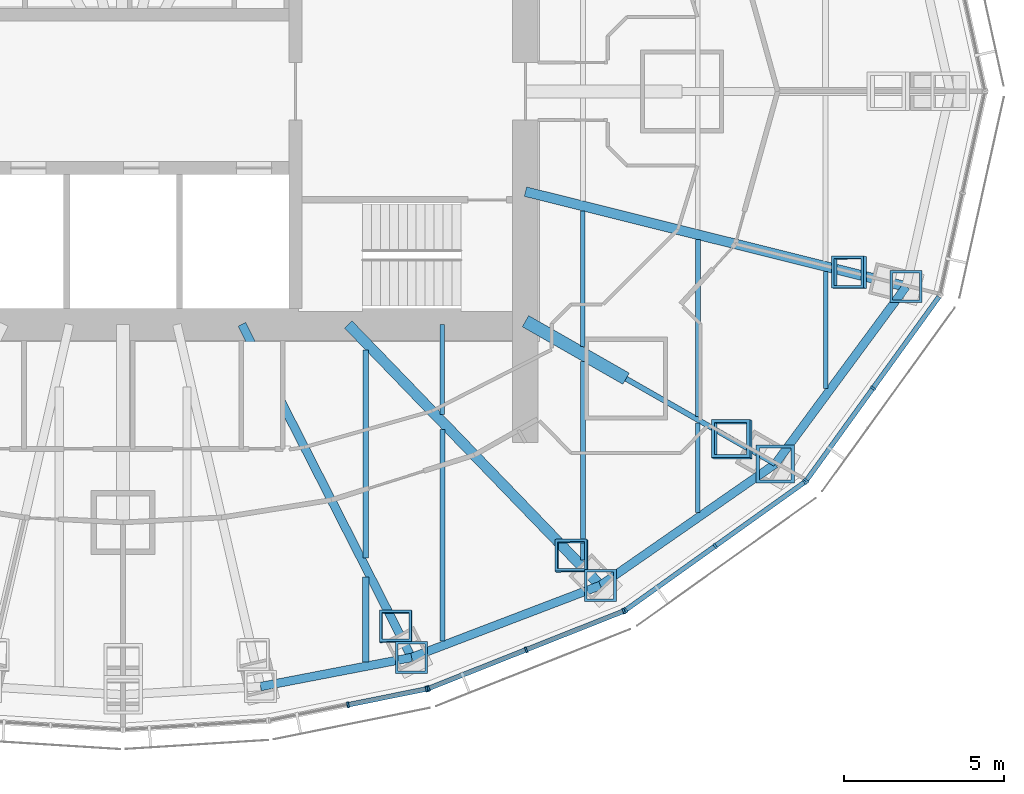
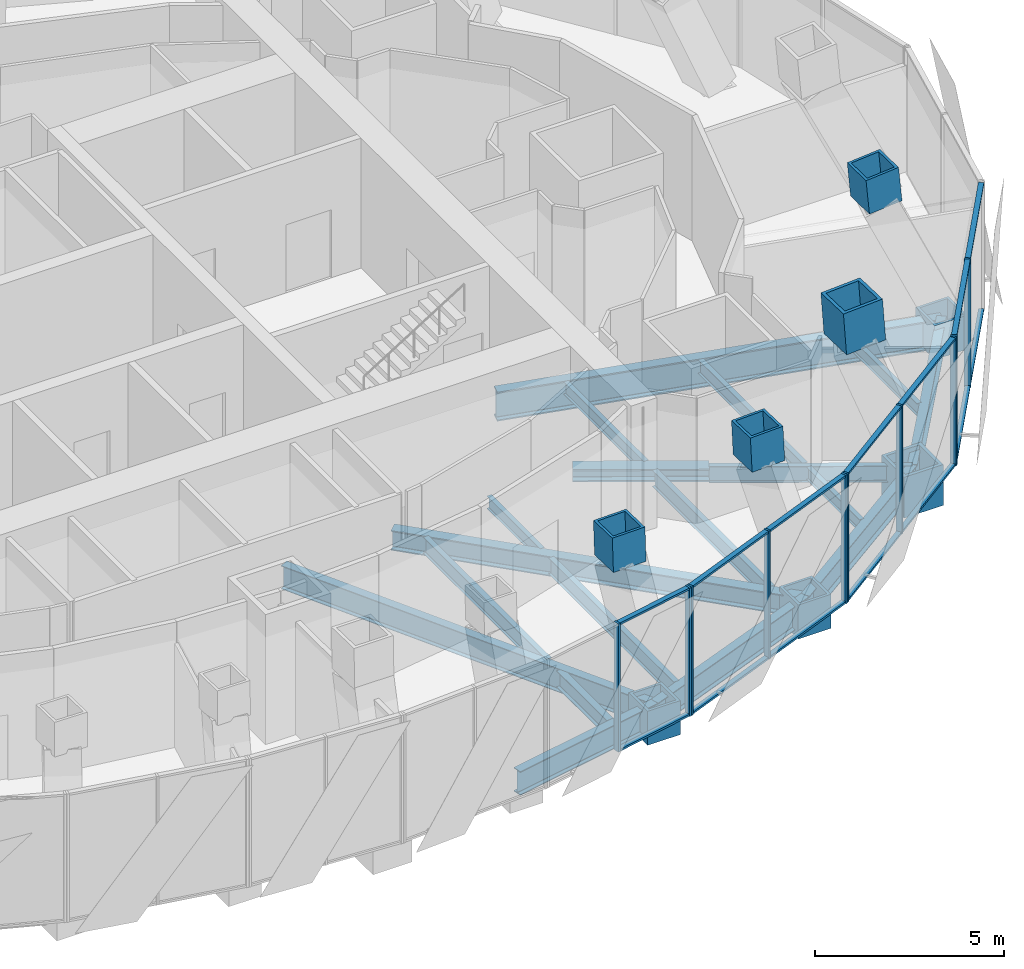
# One storey, part 6 of 18: 32 members, 18 beams, 4 elements without a shape of their own.
"""IFC4 building model written with IfcOpenShell, lengths in metres."""

from ifc_helpers import new_model, si_unit, direction, frame, origin, origin_2d, place, context, subcontext, project, spatial, rectangle, hollow_rectangle, i_section, extrude, material, material_profile, profile_set, type_object, element, aggregate, save


model = new_model("IFC4")

# Units and contexts
model_context = context("Model", 3, precision=1e-05, world=origin(), true_north=direction((0.0, 1.0)))
body_context = subcontext(model_context, "Body", "Model", "MODEL_VIEW")
ifc_project = project(units=[si_unit("LENGTHUNIT", "METRE"), si_unit("AREAUNIT", "SQUARE_METRE"), si_unit("VOLUMEUNIT", "CUBIC_METRE"), si_unit("PLANEANGLEUNIT", "RADIAN"), si_unit("MASSUNIT", "GRAM", prefix="KILO")], contexts=[model_context])

# Site, building, storey
site_placement = place(None, origin())
site = spatial("IfcSite", under=ifc_project, at=site_placement, CompositionType="ELEMENT")
building_placement = place(site_placement, origin())
building = spatial("IfcBuilding", under=site, at=building_placement, Name="Lantaw Convention Tower", CompositionType="ELEMENT")
storey_placement = place(building_placement, frame((0.0, 0.0, 266.199951171875)))
storey = spatial("IfcBuildingStorey", under=building, at=storey_placement, Name="L62", CompositionType="ELEMENT", Elevation=266.199951171875)

# Beams
ifc_material_1 = material(Name="Steel ASTM A992", Category="steel")
ifc_material_profile_1 = material_profile(ifc_material_1, i_section(OverallWidth=0.2666015625, OverallDepth=0.76953125, WebThickness=0.015625, FlangeThickness=0.025390625, FilletRadius=0.0126953125, at=origin_2d()), Name="W30X132")
ifc_profile_set_1 = profile_set([ifc_material_profile_1], Name="Steel ASTM A992")
beam_type_1 = type_object("IfcBeamType", Name="Beam E W30X132", PredefinedType="SPANDREL", material=ifc_profile_set_1)
beam_1_placement = place(storey_placement, frame((4.303955078125, -18.64208984375, -0.53466796875), z_axis=(0.981972091702, 0.189025953556, 0.0), x_axis=(-0.189025953556, 0.981972091702, 0.0)))
element("IfcBeam", 1, at=beam_1_placement, inside=storey, type_object=beam_type_1, Name="Edge beam 20", PredefinedType="SPANDREL", context=body_context, shape_type="SweptSolid", body=[
    extrude(i_section(OverallWidth=0.2666015625, OverallDepth=0.76953125, WebThickness=0.015625, FlangeThickness=0.025390625, FilletRadius=0.0126953125, at=origin_2d()), origin(), (0.0, 0.0, 1.0), 4.817626953125),
])
beam_2_placement = place(storey_placement, frame((9.03466796875, -17.7314453125, -0.53466796875), z_axis=(0.934234988, 0.356658081637, 0.0), x_axis=(-0.356658081637, 0.934234988, 0.0)))
element("IfcBeam", 2, at=beam_2_placement, inside=storey, type_object=beam_type_1, Name="Edge beam 21", PredefinedType="SPANDREL", context=body_context, shape_type="SweptSolid", body=[
    extrude(i_section(OverallWidth=0.2666015625, OverallDepth=0.76953125, WebThickness=0.015625, FlangeThickness=0.025390625, FilletRadius=0.0126953125, at=origin_2d()), origin(), (0.0, 0.0, 1.0), 6.32568359375),
])
beam_3_placement = place(storey_placement, frame((14.9443359375, -15.475341796875, -0.53466796875), z_axis=(0.82135329406, 0.570419815869, 0.0), x_axis=(-0.570419815869, 0.82135329406, 0.0)))
element("IfcBeam", 3, at=beam_3_placement, inside=storey, type_object=beam_type_1, Name="Edge beam 22", PredefinedType="SPANDREL", context=body_context, shape_type="SweptSolid", body=[
    extrude(i_section(OverallWidth=0.2666015625, OverallDepth=0.76953125, WebThickness=0.015625, FlangeThickness=0.025390625, FilletRadius=0.0126953125, at=origin_2d()), origin(), (0.0, 0.0, 1.0), 6.67041015625),
])
beam_4_placement = place(storey_placement, frame((20.423095703125, -11.67041015625, -0.53466796875), z_axis=(0.593639188853, 0.804731329984, 0.0), x_axis=(-0.804731329984, 0.593639188853, 0.0)))
element("IfcBeam", 4, at=beam_4_placement, inside=storey, type_object=beam_type_1, Name="Edge beam 23", PredefinedType="SPANDREL", context=body_context, shape_type="SweptSolid", body=[
    extrude(i_section(OverallWidth=0.2666015625, OverallDepth=0.76953125, WebThickness=0.015625, FlangeThickness=0.025390625, FilletRadius=0.0126953125, at=origin_2d()), origin(), (0.0, 0.0, 1.0), 6.904541015625),
])
ifc_material_profile_2 = material_profile(ifc_material_1, i_section(OverallWidth=0.165771484375, OverallDepth=0.5283203125, WebThickness=0.009765625, FlangeThickness=0.013671875, FilletRadius=0.012939453125, at=origin_2d()), Name="W21X50")
ifc_profile_set_2 = profile_set([ifc_material_profile_2], Name="Steel ASTM A992")
beam_type_2 = type_object("IfcBeamType", Name="Beam G W21X50", PredefinedType="BEAM", material=ifc_profile_set_2)
beam_5_placement = place(storey_placement, frame((15.75, -9.0, -0.4140625), z_axis=(0.868237559289, -0.496148708192, 0.0), x_axis=(0.496148708192, 0.868237559289, 0.0)))
element("IfcBeam", 5, at=beam_5_placement, inside=storey, type_object=beam_type_2, Name="Floor girder on ray 23", PredefinedType="BEAM", context=body_context, shape_type="SweptSolid", body=[
    extrude(i_section(OverallWidth=0.165771484375, OverallDepth=0.5283203125, WebThickness=0.009765625, FlangeThickness=0.013671875, FilletRadius=0.012939453125, at=origin_2d()), origin(), (0.0, 0.0, 1.0), 5.38232421875),
])
ifc_material_profile_3 = material_profile(ifc_material_1, i_section(OverallWidth=0.32763671875, OverallDepth=0.64013671875, WebThickness=0.01904296875, FlangeThickness=0.033935546875, FilletRadius=0.0126953125, at=origin_2d()), Name="W24X176")
ifc_profile_set_3 = profile_set([ifc_material_profile_3], Name="Steel ASTM A992")
beam_type_3 = type_object("IfcBeamType", Name="Beam G W24X176", PredefinedType="BEAM", material=ifc_profile_set_3)
beam_6_placement = place(storey_placement, frame((7.049560546875, -7.300048828125, -0.469970703125), z_axis=(0.694657766726, -0.719340383356, 0.0), x_axis=(0.719340383356, 0.694657766726, 0.0)))
element("IfcBeam", 6, at=beam_6_placement, inside=storey, type_object=beam_type_3, Name="Floor girder on ray 22", PredefinedType="BEAM", context=body_context, shape_type="SweptSolid", body=[
    extrude(i_section(OverallWidth=0.32763671875, OverallDepth=0.64013671875, WebThickness=0.01904296875, FlangeThickness=0.033935546875, FilletRadius=0.0126953125, at=origin_2d()), origin(), (0.0, 0.0, 1.0), 11.364990234375),
])
ifc_material_profile_4 = material_profile(ifc_material_1, i_section(OverallWidth=0.2666015625, OverallDepth=0.7568359375, WebThickness=0.013916015625, FlangeThickness=0.019287109375, FilletRadius=0.0126953125, at=origin_2d()), Name="W30X108")
ifc_profile_set_4 = profile_set([ifc_material_profile_4], Name="Steel ASTM A992")
beam_type_4 = type_object("IfcBeamType", Name="Beam G W30X108", PredefinedType="BEAM", material=ifc_profile_set_4)
beam_7_placement = place(storey_placement, frame((3.719482421875, -7.300048828125, -0.5283203125), z_axis=(0.4539988787, -0.891002254845, 0.0), x_axis=(0.891002254845, 0.4539988787, 0.0)))
element("IfcBeam", 7, at=beam_7_placement, inside=storey, type_object=beam_type_4, Name="Floor girder on ray 21", PredefinedType="BEAM", context=body_context, shape_type="SweptSolid", body=[
    extrude(i_section(OverallWidth=0.2666015625, OverallDepth=0.7568359375, WebThickness=0.013916015625, FlangeThickness=0.019287109375, FilletRadius=0.0126953125, at=origin_2d()), origin(), (0.0, 0.0, 1.0), 11.70751953125),
])
ifc_material_profile_5 = material_profile(ifc_material_1, i_section(OverallWidth=0.307373046875, OverallDepth=0.9423828125, WebThickness=0.022216796875, FlangeThickness=0.039794921875, FilletRadius=0.0126953125, at=origin_2d()), Name="W36X232")
ifc_profile_set_5 = profile_set([ifc_material_profile_5], Name="Steel ASTM A992")
beam_type_5 = type_object("IfcBeamType", Name="Beam G W36X232", PredefinedType="BEAM", material=ifc_profile_set_5)
beam_8_placement = place(storey_placement, frame((12.60009765625, -3.1416015625, -0.62109375), z_axis=(0.970296589314, -0.241918434119, 0.0), x_axis=(0.241918434119, 0.970296589314, 0.0)))
element("IfcBeam", 8, at=beam_8_placement, inside=storey, type_object=beam_type_5, Name="Floor girder on ray 24", PredefinedType="BEAM", context=body_context, shape_type="SweptSolid", body=[
    extrude(i_section(OverallWidth=0.307373046875, OverallDepth=0.9423828125, WebThickness=0.022216796875, FlangeThickness=0.039794921875, FilletRadius=0.0126953125, at=origin_2d()), origin(), (0.0, 0.0, 1.0), 12.286865234375),
])
ifc_material_profile_6 = material_profile(ifc_material_1, i_section(OverallWidth=0.40380859375, OverallDepth=0.406494140625, WebThickness=0.027099609375, FlangeThickness=0.043701171875, FilletRadius=0.01513671875, at=origin_2d()), Name="W14X233")
ifc_profile_set_6 = profile_set([ifc_material_profile_6], Name="Steel ASTM A992")
beam_type_6 = type_object("IfcBeamType", Name="Beam GM W14X233", PredefinedType="BEAM", material=ifc_profile_set_6)
beam_9_placement = place(storey_placement, frame((12.60009765625, -7.199951171875, -0.353271484375), z_axis=(0.868230718294, -0.496160679428, 0.0), x_axis=(0.496160679428, 0.868230718294, 0.0)))
element("IfcBeam", 9, at=beam_9_placement, inside=storey, type_object=beam_type_6, Name="Core link beam on ray 23", PredefinedType="BEAM", context=body_context, shape_type="SweptSolid", body=[
    extrude(i_section(OverallWidth=0.40380859375, OverallDepth=0.406494140625, WebThickness=0.027099609375, FlangeThickness=0.043701171875, FilletRadius=0.01513671875, at=origin_2d()), origin(), (0.0, 0.0, 1.0), 3.6279296875),
])
ifc_material_profile_7 = material_profile(ifc_material_1, i_section(OverallWidth=0.140380859375, OverallDepth=0.40380859375, WebThickness=0.007080078125, FlangeThickness=0.01123046875, FilletRadius=0.01025390625, at=origin_2d()), Name="W16X31")
ifc_profile_set_7 = profile_set([ifc_material_profile_7], Name="Steel ASTM A992")
beam_type_7 = type_object("IfcBeamType", Name="Beam J W16X31", PredefinedType="JOIST", material=ifc_profile_set_7)
beam_10_placement = place(storey_placement, frame((10.0, -10.119384765625, -0.351806640625), z_axis=(0.0, 1.0, 0.0), x_axis=(-1.0, 0.0, 0.0)))
element("IfcBeam", 10, at=beam_10_placement, inside=storey, type_object=beam_type_7, Name="Floor joist", PredefinedType="JOIST", context=body_context, shape_type="SweptSolid", body=[
    extrude(i_section(OverallWidth=0.140380859375, OverallDepth=0.40380859375, WebThickness=0.007080078125, FlangeThickness=0.01123046875, FilletRadius=0.01025390625, at=origin_2d()), origin(), (0.0, 0.0, 1.0), 2.8193359375),
])
beam_11_placement = place(storey_placement, frame((14.39990234375, -7.99609375, -0.351806640625), z_axis=(0.0, 1.0, 0.0), x_axis=(-1.0, 0.0, 0.0)))
element("IfcBeam", 11, at=beam_11_placement, inside=storey, type_object=beam_type_7, Name="Floor joist", PredefinedType="JOIST", context=body_context, shape_type="SweptSolid", body=[
    extrude(i_section(OverallWidth=0.140380859375, OverallDepth=0.40380859375, WebThickness=0.007080078125, FlangeThickness=0.01123046875, FilletRadius=0.01025390625, at=origin_2d()), origin(), (0.0, 0.0, 1.0), 4.247314453125),
])
beam_12_placement = place(storey_placement, frame((18.0, -13.19091796875, -0.351806640625), z_axis=(0.0, 1.0, 0.0), x_axis=(-1.0, 0.0, 0.0)))
element("IfcBeam", 12, at=beam_12_placement, inside=storey, type_object=beam_type_7, Name="Floor joist", PredefinedType="JOIST", context=body_context, shape_type="SweptSolid", body=[
    extrude(i_section(OverallWidth=0.140380859375, OverallDepth=0.40380859375, WebThickness=0.007080078125, FlangeThickness=0.01123046875, FilletRadius=0.01025390625, at=origin_2d()), origin(), (0.0, 0.0, 1.0), 2.8095703125),
])
beam_13_placement = place(storey_placement, frame((22.0, -9.30810546875, -0.351806640625), z_axis=(0.0, 1.0, 0.0), x_axis=(-1.0, 0.0, 0.0)))
element("IfcBeam", 13, at=beam_13_placement, inside=storey, type_object=beam_type_7, Name="Floor joist", PredefinedType="JOIST", context=body_context, shape_type="SweptSolid", body=[
    extrude(i_section(OverallWidth=0.140380859375, OverallDepth=0.40380859375, WebThickness=0.007080078125, FlangeThickness=0.01123046875, FilletRadius=0.01025390625, at=origin_2d()), origin(), (0.0, 0.0, 1.0), 3.66455078125),
])
ifc_material_profile_8 = material_profile(ifc_material_1, i_section(OverallWidth=0.15234375, OverallDepth=0.449462890625, WebThickness=0.007568359375, FlangeThickness=0.0107421875, FilletRadius=0.01025390625, at=origin_2d()), Name="W18X35")
ifc_profile_set_8 = profile_set([ifc_material_profile_8], Name="Steel ASTM A992")
beam_type_8 = type_object("IfcBeamType", Name="Beam J W18X35", PredefinedType="JOIST", material=ifc_profile_set_8)
beam_14_placement = place(storey_placement, frame((18.0, -10.190185546875, -0.374755859375), z_axis=(0.0, 1.0, 0.0), x_axis=(-1.0, 0.0, 0.0)))
element("IfcBeam", 14, at=beam_14_placement, inside=storey, type_object=beam_type_8, Name="Floor joist", PredefinedType="JOIST", context=body_context, shape_type="SweptSolid", body=[
    extrude(i_section(OverallWidth=0.15234375, OverallDepth=0.449462890625, WebThickness=0.007568359375, FlangeThickness=0.0107421875, FilletRadius=0.01025390625, at=origin_2d()), origin(), (0.0, 0.0, 1.0), 5.5439453125),
])
ifc_material_profile_9 = material_profile(ifc_material_1, i_section(OverallWidth=0.1650390625, OverallDepth=0.52587890625, WebThickness=0.0087890625, FlangeThickness=0.011474609375, FilletRadius=0.0126953125, at=origin_2d()), Name="W21X44")
ifc_profile_set_9 = profile_set([ifc_material_profile_9], Name="Steel ASTM A992")
beam_type_9 = type_object("IfcBeamType", Name="Beam J W21X44", PredefinedType="JOIST", material=ifc_profile_set_9)
beam_15_placement = place(storey_placement, frame((7.60009765625, -14.6220703125, -0.412841796875), z_axis=(0.0, 1.0, 0.0), x_axis=(-1.0, 0.0, 0.0)))
element("IfcBeam", 15, at=beam_15_placement, inside=storey, type_object=beam_type_9, Name="Floor joist", PredefinedType="JOIST", context=body_context, shape_type="SweptSolid", body=[
    extrude(i_section(OverallWidth=0.1650390625, OverallDepth=0.52587890625, WebThickness=0.0087890625, FlangeThickness=0.011474609375, FilletRadius=0.0126953125, at=origin_2d()), origin(), (0.0, 0.0, 1.0), 6.51611328125),
])
beam_16_placement = place(storey_placement, frame((10.0, -17.22021484375, -0.412841796875), z_axis=(0.0, 1.0, 0.0), x_axis=(-1.0, 0.0, 0.0)))
element("IfcBeam", 16, at=beam_16_placement, inside=storey, type_object=beam_type_9, Name="Floor joist", PredefinedType="JOIST", context=body_context, shape_type="SweptSolid", body=[
    extrude(i_section(OverallWidth=0.1650390625, OverallDepth=0.52587890625, WebThickness=0.0087890625, FlangeThickness=0.011474609375, FilletRadius=0.0126953125, at=origin_2d()), origin(), (0.0, 0.0, 1.0), 6.629150390625),
])
beam_17_placement = place(storey_placement, frame((14.39990234375, -14.67578125, -0.412841796875), z_axis=(0.0, 1.0, 0.0), x_axis=(-1.0, 0.0, 0.0)))
element("IfcBeam", 17, at=beam_17_placement, inside=storey, type_object=beam_type_9, Name="Floor joist", PredefinedType="JOIST", context=body_context, shape_type="SweptSolid", body=[
    extrude(i_section(OverallWidth=0.1650390625, OverallDepth=0.52587890625, WebThickness=0.0087890625, FlangeThickness=0.011474609375, FilletRadius=0.0126953125, at=origin_2d()), origin(), (0.0, 0.0, 1.0), 6.214599609375),
])
ifc_material_profile_10 = material_profile(ifc_material_1, i_section(OverallWidth=0.2099609375, OverallDepth=0.535888671875, WebThickness=0.010986328125, FlangeThickness=0.017333984375, FilletRadius=0.012939453125, at=origin_2d()), Name="W21X68")
ifc_profile_set_10 = profile_set([ifc_material_profile_10], Name="Steel ASTM A992")
beam_type_10 = type_object("IfcBeamType", Name="Beam J W21X68", PredefinedType="JOIST", material=ifc_profile_set_10)
beam_18_placement = place(storey_placement, frame((7.60009765625, -17.871826171875, -0.41796875), z_axis=(0.0, 1.0, 0.0), x_axis=(-1.0, 0.0, 0.0)))
element("IfcBeam", 18, at=beam_18_placement, inside=storey, type_object=beam_type_10, Name="Floor joist", PredefinedType="JOIST", context=body_context, shape_type="SweptSolid", body=[
    extrude(i_section(OverallWidth=0.2099609375, OverallDepth=0.535888671875, WebThickness=0.010986328125, FlangeThickness=0.017333984375, FilletRadius=0.012939453125, at=origin_2d()), origin(), (0.0, 0.0, 1.0), 2.662353515625),
])

# Curtain wall, members
ifc_material_2 = material(Name="Aluminium framed curtain wall", Category="aluminium")
curtain_wall_type = type_object("IfcCurtainWallType", Name="Office curtain wall high rise, pale aluminium", PredefinedType="USERDEFINED", material=ifc_material_2)
curtain_wall_1_placement = place(storey_placement, origin())
curtain_wall_1 = element("IfcCurtainWall", 19, at=curtain_wall_1_placement, inside=storey, type_object=curtain_wall_type, Name="Office curtain wall high rise, pale aluminium L62", ObjectType="UNITISED CURTAIN WALL", PredefinedType="USERDEFINED")
ifc_material_3 = material(Name="Aluminium 6063-T6", Category="aluminium")
ifc_material_profile_11 = material_profile(ifc_material_3, rectangle(XDim=0.179931640625, YDim=0.06494140625, at=origin_2d()), Name="CW-O2 mullion 65x180")
ifc_profile_set_11 = profile_set([ifc_material_profile_11], Name="Aluminium 6063-T6")
member_type_1 = type_object("IfcMemberType", Name="CW-O2 mullion 65x180", PredefinedType="MULLION", material=ifc_profile_set_11)
member_1_placement = place(storey_placement, frame((7.042724609375, -19.212646484375, -0.14990234375), z_axis=(0.0, 0.0, 1.0), x_axis=(-0.197183095987, 0.980366679695, 0.0)))
member_1 = element("IfcMember", 20, at=member_1_placement, type_object=member_type_1, Name="CW-O2 mullion 2", PredefinedType="MULLION", context=body_context, shape_type="SweptSolid", body=[
    extrude(rectangle(XDim=0.179931640625, YDim=0.06494140625, at=origin_2d()), origin(), (0.0, 0.0, 1.0), 4.14990234375),
])
member_2_placement = place(storey_placement, frame((9.502197265625, -18.718017578125, -0.14990234375), z_axis=(0.0, 0.0, 1.0), x_axis=(-0.197183095987, 0.980366679695, 0.0)))
member_2 = element("IfcMember", 21, at=member_2_placement, type_object=member_type_1, Name="CW-O2 mullion 3", PredefinedType="MULLION", context=body_context, shape_type="SweptSolid", body=[
    extrude(rectangle(XDim=0.179931640625, YDim=0.06494140625, at=origin_2d()), origin(), (0.0, 0.0, 1.0), 4.14990234375),
])

curtain_wall_2_placement = place(storey_placement, origin())
curtain_wall_2 = element("IfcCurtainWall", 22, at=curtain_wall_2_placement, inside=storey, type_object=curtain_wall_type, Name="Office curtain wall high rise, pale aluminium L62", ObjectType="UNITISED CURTAIN WALL", PredefinedType="USERDEFINED")
member_3_placement = place(storey_placement, frame((9.564208984375, -18.69970703125, -0.14990234375), z_axis=(0.0, 0.0, 1.0), x_axis=(-0.368162315252, 0.929761533743, 0.0)))
member_3 = element("IfcMember", 23, at=member_3_placement, type_object=member_type_1, Name="CW-O2 mullion 1", PredefinedType="MULLION", context=body_context, shape_type="SweptSolid", body=[
    extrude(rectangle(XDim=0.179931640625, YDim=0.06494140625, at=origin_2d()), origin(), (0.0, 0.0, 1.0), 4.14990234375),
])
member_4_placement = place(storey_placement, frame((12.621337890625, -17.4892578125, -0.14990234375), z_axis=(0.0, 0.0, 1.0), x_axis=(-0.368162315252, 0.929761533743, 0.0)))
member_4 = element("IfcMember", 24, at=member_4_placement, type_object=member_type_1, Name="CW-O2 mullion 2", PredefinedType="MULLION", context=body_context, shape_type="SweptSolid", body=[
    extrude(rectangle(XDim=0.179931640625, YDim=0.06494140625, at=origin_2d()), origin(), (0.0, 0.0, 1.0), 4.14990234375),
])
member_5_placement = place(storey_placement, frame((15.67822265625, -16.278564453125, -0.14990234375), z_axis=(0.0, 0.0, 1.0), x_axis=(-0.368162315252, 0.929761533743, 0.0)))
member_5 = element("IfcMember", 25, at=member_5_placement, type_object=member_type_1, Name="CW-O2 mullion 3", PredefinedType="MULLION", context=body_context, shape_type="SweptSolid", body=[
    extrude(rectangle(XDim=0.179931640625, YDim=0.06494140625, at=origin_2d()), origin(), (0.0, 0.0, 1.0), 4.14990234375),
])

curtain_wall_3_placement = place(storey_placement, origin())
curtain_wall_3 = element("IfcCurtainWall", 26, at=curtain_wall_3_placement, inside=storey, type_object=curtain_wall_type, Name="Office curtain wall high rise, pale aluminium L62", ObjectType="UNITISED CURTAIN WALL", PredefinedType="USERDEFINED")
member_6_placement = place(storey_placement, frame((15.73486328125, -16.247802734375, -0.14990234375), z_axis=(0.0, 0.0, 1.0), x_axis=(-0.581323487281, 0.813672540482, 0.0)))
member_6 = element("IfcMember", 27, at=member_6_placement, type_object=member_type_1, Name="CW-O2 mullion 1", PredefinedType="MULLION", context=body_context, shape_type="SweptSolid", body=[
    extrude(rectangle(XDim=0.179931640625, YDim=0.06494140625, at=origin_2d()), origin(), (0.0, 0.0, 1.0), 4.14990234375),
])
member_7_placement = place(storey_placement, frame((18.543212890625, -14.241455078125, -0.14990234375), z_axis=(0.0, 0.0, 1.0), x_axis=(-0.581323487281, 0.813672540482, 0.0)))
member_7 = element("IfcMember", 28, at=member_7_placement, type_object=member_type_1, Name="CW-O2 mullion 2", PredefinedType="MULLION", context=body_context, shape_type="SweptSolid", body=[
    extrude(rectangle(XDim=0.179931640625, YDim=0.06494140625, at=origin_2d()), origin(), (0.0, 0.0, 1.0), 4.14990234375),
])
member_8_placement = place(storey_placement, frame((21.3515625, -12.23486328125, -0.14990234375), z_axis=(0.0, 0.0, 1.0), x_axis=(-0.581323487281, 0.813672540482, 0.0)))
member_8 = element("IfcMember", 29, at=member_8_placement, type_object=member_type_1, Name="CW-O2 mullion 3", PredefinedType="MULLION", context=body_context, shape_type="SweptSolid", body=[
    extrude(rectangle(XDim=0.179931640625, YDim=0.06494140625, at=origin_2d()), origin(), (0.0, 0.0, 1.0), 4.14990234375),
])

curtain_wall_4_placement = place(storey_placement, origin())
curtain_wall_4 = element("IfcCurtainWall", 30, at=curtain_wall_4_placement, inside=storey, type_object=curtain_wall_type, Name="Office curtain wall high rise, pale aluminium L62", ObjectType="UNITISED CURTAIN WALL", PredefinedType="USERDEFINED")
member_9_placement = place(storey_placement, frame((21.397216796875, -12.189697265625, -0.14990234375), z_axis=(0.0, 0.0, 1.0), x_axis=(-0.810919559405, 0.585157643865, 0.0)))
member_9 = element("IfcMember", 31, at=member_9_placement, type_object=member_type_1, Name="CW-O2 mullion 1", PredefinedType="MULLION", context=body_context, shape_type="SweptSolid", body=[
    extrude(rectangle(XDim=0.179931640625, YDim=0.06494140625, at=origin_2d()), origin(), (0.0, 0.0, 1.0), 4.14990234375),
])
member_10_placement = place(storey_placement, frame((23.483642578125, -9.298095703125, -0.14990234375), z_axis=(0.0, 0.0, 1.0), x_axis=(-0.810919559405, 0.585157643865, 0.0)))
member_10 = element("IfcMember", 32, at=member_10_placement, type_object=member_type_1, Name="CW-O2 mullion 2", PredefinedType="MULLION", context=body_context, shape_type="SweptSolid", body=[
    extrude(rectangle(XDim=0.179931640625, YDim=0.06494140625, at=origin_2d()), origin(), (0.0, 0.0, 1.0), 4.14990234375),
])

# Member
ifc_material_profile_12 = material_profile(ifc_material_3, rectangle(XDim=0.14990234375, YDim=0.06494140625, at=origin_2d()), Name="CW-O2 transom 65x150")
ifc_profile_set_12 = profile_set([ifc_material_profile_12], Name="Aluminium 6063-T6")
member_type_2 = type_object("IfcMemberType", Name="CW-O2 transom 65x150", PredefinedType="USERDEFINED", material=ifc_profile_set_12)
member_11_placement = place(storey_placement, frame((7.074462890625, -19.206298828125, -0.117431640625), z_axis=(0.98036104319, 0.197211117829, 0.0), x_axis=(-0.197211117829, 0.98036104319, 0.0)))
member_11 = element("IfcMember", 33, at=member_11_placement, type_object=member_type_2, Name="CW-O2 transom 2.1", ObjectType="TRANSOM", PredefinedType="USERDEFINED", context=body_context, shape_type="SweptSolid", body=[
    extrude(rectangle(XDim=0.14990234375, YDim=0.06494140625, at=origin_2d()), origin(), (0.0, 0.0, 1.0), 2.44384765625),
])

member_12_placement = place(storey_placement, frame((7.074462890625, -19.206298828125, 3.967529296875), z_axis=(0.98036104319, 0.197211117829, 0.0), x_axis=(-0.197211117829, 0.98036104319, 0.0)))
member_12 = element("IfcMember", 34, at=member_12_placement, type_object=member_type_2, Name="CW-O2 transom 2.2", ObjectType="TRANSOM", PredefinedType="USERDEFINED", context=body_context, shape_type="SweptSolid", body=[
    extrude(rectangle(XDim=0.14990234375, YDim=0.06494140625, at=origin_2d()), origin(), (0.0, 0.0, 1.0), 2.44384765625),
])

aggregate(curtain_wall_1, [member_1, member_2, member_11, member_12])

member_13_placement = place(storey_placement, frame((9.594482421875, -18.687744140625, -0.117431640625), z_axis=(0.929766642946, 0.368149412149, 0.0), x_axis=(-0.368149412149, 0.929766642946, 0.0)))
member_13 = element("IfcMember", 35, at=member_13_placement, type_object=member_type_2, Name="CW-O2 transom 1.1", ObjectType="TRANSOM", PredefinedType="USERDEFINED", context=body_context, shape_type="SweptSolid", body=[
    extrude(rectangle(XDim=0.14990234375, YDim=0.06494140625, at=origin_2d()), origin(), (0.0, 0.0, 1.0), 3.222900390625),
])

member_14_placement = place(storey_placement, frame((9.594482421875, -18.687744140625, 3.967529296875), z_axis=(0.929766642946, 0.368149412149, 0.0), x_axis=(-0.368149412149, 0.929766642946, 0.0)))
member_14 = element("IfcMember", 36, at=member_14_placement, type_object=member_type_2, Name="CW-O2 transom 1.2", ObjectType="TRANSOM", PredefinedType="USERDEFINED", context=body_context, shape_type="SweptSolid", body=[
    extrude(rectangle(XDim=0.14990234375, YDim=0.06494140625, at=origin_2d()), origin(), (0.0, 0.0, 1.0), 3.222900390625),
])

member_15_placement = place(storey_placement, frame((12.651611328125, -17.477294921875, -0.117431640625), z_axis=(0.929740712354, 0.368214893495, 0.0), x_axis=(-0.368214893495, 0.929740712354, 0.0)))
member_15 = element("IfcMember", 37, at=member_15_placement, type_object=member_type_2, Name="CW-O2 transom 2.1", ObjectType="TRANSOM", PredefinedType="USERDEFINED", context=body_context, shape_type="SweptSolid", body=[
    extrude(rectangle(XDim=0.14990234375, YDim=0.06494140625, at=origin_2d()), origin(), (0.0, 0.0, 1.0), 3.22314453125),
])

member_16_placement = place(storey_placement, frame((12.651611328125, -17.477294921875, 3.967529296875), z_axis=(0.929740712354, 0.368214893495, 0.0), x_axis=(-0.368214893495, 0.929740712354, 0.0)))
member_16 = element("IfcMember", 38, at=member_16_placement, type_object=member_type_2, Name="CW-O2 transom 2.2", ObjectType="TRANSOM", PredefinedType="USERDEFINED", context=body_context, shape_type="SweptSolid", body=[
    extrude(rectangle(XDim=0.14990234375, YDim=0.06494140625, at=origin_2d()), origin(), (0.0, 0.0, 1.0), 3.22314453125),
])

aggregate(curtain_wall_2, [member_3, member_4, member_5, member_13, member_14, member_15, member_16])

member_17_placement = place(storey_placement, frame((15.761474609375, -16.22900390625, -0.117431640625), z_axis=(0.813645780821, 0.581360940683, 0.0), x_axis=(-0.581360940683, 0.813645780821, 0.0)))
member_17 = element("IfcMember", 39, at=member_17_placement, type_object=member_type_2, Name="CW-O2 transom 1.1", ObjectType="TRANSOM", PredefinedType="USERDEFINED", context=body_context, shape_type="SweptSolid", body=[
    extrude(rectangle(XDim=0.14990234375, YDim=0.06494140625, at=origin_2d()), origin(), (0.0, 0.0, 1.0), 3.386474609375),
])

member_18_placement = place(storey_placement, frame((15.761474609375, -16.22900390625, 3.967529296875), z_axis=(0.813645780821, 0.581360940683, 0.0), x_axis=(-0.581360940683, 0.813645780821, 0.0)))
member_18 = element("IfcMember", 40, at=member_18_placement, type_object=member_type_2, Name="CW-O2 transom 1.2", ObjectType="TRANSOM", PredefinedType="USERDEFINED", context=body_context, shape_type="SweptSolid", body=[
    extrude(rectangle(XDim=0.14990234375, YDim=0.06494140625, at=origin_2d()), origin(), (0.0, 0.0, 1.0), 3.386474609375),
])

member_19_placement = place(storey_placement, frame((18.56982421875, -14.222412109375, -0.117431640625), z_axis=(0.813679882592, 0.581313210468, 0.0), x_axis=(-0.581313210468, 0.813679882592, 0.0)))
member_19 = element("IfcMember", 41, at=member_19_placement, type_object=member_type_2, Name="CW-O2 transom 2.1", ObjectType="TRANSOM", PredefinedType="USERDEFINED", context=body_context, shape_type="SweptSolid", body=[
    extrude(rectangle(XDim=0.14990234375, YDim=0.06494140625, at=origin_2d()), origin(), (0.0, 0.0, 1.0), 3.38623046875),
])

member_20_placement = place(storey_placement, frame((18.56982421875, -14.222412109375, 3.967529296875), z_axis=(0.813679882592, 0.581313210468, 0.0), x_axis=(-0.581313210468, 0.813679882592, 0.0)))
member_20 = element("IfcMember", 42, at=member_20_placement, type_object=member_type_2, Name="CW-O2 transom 2.2", ObjectType="TRANSOM", PredefinedType="USERDEFINED", context=body_context, shape_type="SweptSolid", body=[
    extrude(rectangle(XDim=0.14990234375, YDim=0.06494140625, at=origin_2d()), origin(), (0.0, 0.0, 1.0), 3.38623046875),
])

aggregate(curtain_wall_3, [member_6, member_7, member_8, member_17, member_18, member_19, member_20])

member_21_placement = place(storey_placement, frame((21.416259765625, -12.163330078125, -0.117431640625), z_axis=(0.585123825205, 0.810943961798, 0.0), x_axis=(-0.810943961798, 0.585123825205, 0.0)))
member_21 = element("IfcMember", 43, at=member_21_placement, type_object=member_type_2, Name="CW-O2 transom 1.1", ObjectType="TRANSOM", PredefinedType="USERDEFINED", context=body_context, shape_type="SweptSolid", body=[
    extrude(rectangle(XDim=0.14990234375, YDim=0.06494140625, at=origin_2d()), origin(), (0.0, 0.0, 1.0), 3.500732421875),
])

member_22_placement = place(storey_placement, frame((21.416259765625, -12.163330078125, 3.967529296875), z_axis=(0.585123825205, 0.810943961798, 0.0), x_axis=(-0.810943961798, 0.585123825205, 0.0)))
member_22 = element("IfcMember", 44, at=member_22_placement, type_object=member_type_2, Name="CW-O2 transom 1.2", ObjectType="TRANSOM", PredefinedType="USERDEFINED", context=body_context, shape_type="SweptSolid", body=[
    extrude(rectangle(XDim=0.14990234375, YDim=0.06494140625, at=origin_2d()), origin(), (0.0, 0.0, 1.0), 3.500732421875),
])

member_23_placement = place(storey_placement, frame((23.502685546875, -9.271728515625, -0.117431640625), z_axis=(0.585169685931, 0.810910869743, 0.0), x_axis=(-0.810910869743, 0.585169685931, 0.0)))
member_23 = element("IfcMember", 45, at=member_23_placement, type_object=member_type_2, Name="CW-O2 transom 2.1", ObjectType="TRANSOM", PredefinedType="USERDEFINED", context=body_context, shape_type="SweptSolid", body=[
    extrude(rectangle(XDim=0.14990234375, YDim=0.06494140625, at=origin_2d()), origin(), (0.0, 0.0, 1.0), 3.500732421875),
])

member_24_placement = place(storey_placement, frame((23.502685546875, -9.271728515625, 3.967529296875), z_axis=(0.585169685931, 0.810910869743, 0.0), x_axis=(-0.810910869743, 0.585169685931, 0.0)))
member_24 = element("IfcMember", 46, at=member_24_placement, type_object=member_type_2, Name="CW-O2 transom 2.2", ObjectType="TRANSOM", PredefinedType="USERDEFINED", context=body_context, shape_type="SweptSolid", body=[
    extrude(rectangle(XDim=0.14990234375, YDim=0.06494140625, at=origin_2d()), origin(), (0.0, 0.0, 1.0), 3.500732421875),
])

aggregate(curtain_wall_4, [member_9, member_10, member_21, member_22, member_23, member_24])

# Members
ifc_material_4 = material(Name="Cast steel ASTM A148 Grade 80-50", Category="steel")
ifc_material_profile_13 = material_profile(ifc_material_4, hollow_rectangle(XDim=1.0, YDim=1.0, WallThickness=0.080078125, at=origin_2d()), Name="BOX1000X80")
ifc_profile_set_13 = profile_set([ifc_material_profile_13], Name="Cast steel ASTM A148 Grade 80-50")
member_type_3 = type_object("IfcMemberType", Name="Member CN BOX1000X80", PredefinedType="USERDEFINED", material=ifc_profile_set_13)
member_25_placement = place(storey_placement, frame((9.03466796875, -17.7314453125, -1.099853515625), z_axis=(0.0, 0.0, 1.0), x_axis=(1.0, 0.0, 0.0)))
element("IfcMember", 47, at=member_25_placement, inside=storey, type_object=member_type_3, Name="Cast steel column node", ObjectType="COLUMN NODE", PredefinedType="USERDEFINED", context=body_context, shape_type="SweptSolid", body=[
    extrude(hollow_rectangle(XDim=1.0, YDim=1.0, WallThickness=0.080078125, at=origin_2d()), origin(), (0.0, 0.0, 1.0), 1.099853515625),
])
member_26_placement = place(storey_placement, frame((8.544189453125, -16.768798828125, 4.06884765625), z_axis=(-0.014421183142, 0.028176773216, 0.999498923925), x_axis=(0.999894369533, 0.002216723787, 0.014364397358)))
element("IfcMember", 48, at=member_26_placement, inside=storey, type_object=member_type_3, Name="Cast steel column node", ObjectType="COLUMN NODE", PredefinedType="USERDEFINED", context=body_context, shape_type="SweptSolid", body=[
    extrude(hollow_rectangle(XDim=1.0, YDim=1.0, WallThickness=0.080078125, at=origin_2d()), origin(), (0.0, 0.0, 1.0), 1.100341796875),
])
member_27_placement = place(storey_placement, frame((14.9443359375, -15.475341796875, -1.099853515625), z_axis=(0.0, 0.0, 1.0), x_axis=(1.0, 0.0, 0.0)))
element("IfcMember", 49, at=member_27_placement, inside=storey, type_object=member_type_3, Name="Cast steel column node", ObjectType="COLUMN NODE", PredefinedType="USERDEFINED", context=body_context, shape_type="SweptSolid", body=[
    extrude(hollow_rectangle(XDim=1.0, YDim=1.0, WallThickness=0.080078125, at=origin_2d()), origin(), (0.0, 0.0, 1.0), 1.099853515625),
])
member_28_placement = place(storey_placement, frame((14.06103515625, -14.560546875, 4.047119140625), z_axis=(-0.030375009285, 0.03126187087, 0.999049575467), x_axis=(0.999533854415, 0.00402119647, 0.03026390354)))
element("IfcMember", 50, at=member_28_placement, inside=storey, type_object=member_type_3, Name="Cast steel column node", ObjectType="COLUMN NODE", PredefinedType="USERDEFINED", context=body_context, shape_type="SweptSolid", body=[
    extrude(hollow_rectangle(XDim=1.0, YDim=1.0, WallThickness=0.080078125, at=origin_2d()), origin(), (0.0, 0.0, 1.0), 1.10107421875),
])
member_29_placement = place(storey_placement, frame((24.52197265625, -6.114013671875, -1.099853515625), z_axis=(0.0, 0.0, 1.0), x_axis=(1.0, 0.0, 0.0)))
element("IfcMember", 51, at=member_29_placement, inside=storey, type_object=member_type_3, Name="Cast steel column node", ObjectType="COLUMN NODE", PredefinedType="USERDEFINED", context=body_context, shape_type="SweptSolid", body=[
    extrude(hollow_rectangle(XDim=1.0, YDim=1.0, WallThickness=0.080078125, at=origin_2d()), origin(), (0.0, 0.0, 1.0), 1.099853515625),
])
member_30_placement = place(storey_placement, frame((22.778076171875, -5.67919921875, 3.99169921875), z_axis=(-0.082478910329, 0.020564446811, 0.996380616471), x_axis=(0.996592810197, 0.001698130126, 0.082461427453)))
element("IfcMember", 52, at=member_30_placement, inside=storey, type_object=member_type_3, Name="Cast steel column node", ObjectType="COLUMN NODE", PredefinedType="USERDEFINED", context=body_context, shape_type="SweptSolid", body=[
    extrude(hollow_rectangle(XDim=1.0, YDim=1.0, WallThickness=0.080078125, at=origin_2d()), origin(), (0.0, 0.0, 1.0), 1.10400390625),
])
ifc_material_profile_14 = material_profile(ifc_material_4, hollow_rectangle(XDim=1.199951171875, YDim=1.199951171875, WallThickness=0.10009765625, at=origin_2d()), Name="BOX1200X100")
ifc_profile_set_14 = profile_set([ifc_material_profile_14], Name="Cast steel ASTM A148 Grade 80-50")
member_type_4 = type_object("IfcMemberType", Name="Member CN BOX1200X100", PredefinedType="USERDEFINED", material=ifc_profile_set_14)
member_31_placement = place(storey_placement, frame((20.423095703125, -11.67041015625, -1.320068359375), z_axis=(0.0, 0.0, 1.0), x_axis=(1.0, 0.0, 0.0)))
element("IfcMember", 53, at=member_31_placement, inside=storey, type_object=member_type_4, Name="Cast steel column node", ObjectType="COLUMN NODE", PredefinedType="USERDEFINED", context=body_context, shape_type="SweptSolid", body=[
    extrude(hollow_rectangle(XDim=1.199951171875, YDim=1.199951171875, WallThickness=0.10009765625, at=origin_2d()), origin(), (0.0, 0.0, 1.0), 1.320068359375),
])
member_32_placement = place(storey_placement, frame((19.09912109375, -10.913818359375, 3.982421875), z_axis=(-0.05463540276, 0.031193861711, 0.998018995689), x_axis=(0.998506304654, 0.002070978644, 0.054597349877)))
element("IfcMember", 54, at=member_32_placement, inside=storey, type_object=member_type_4, Name="Cast steel column node", ObjectType="COLUMN NODE", PredefinedType="USERDEFINED", context=body_context, shape_type="SweptSolid", body=[
    extrude(hollow_rectangle(XDim=1.199951171875, YDim=1.199951171875, WallThickness=0.10009765625, at=origin_2d()), origin(), (0.0, 0.0, 1.0), 1.32275390625),
])

save(model, "model.ifc")
